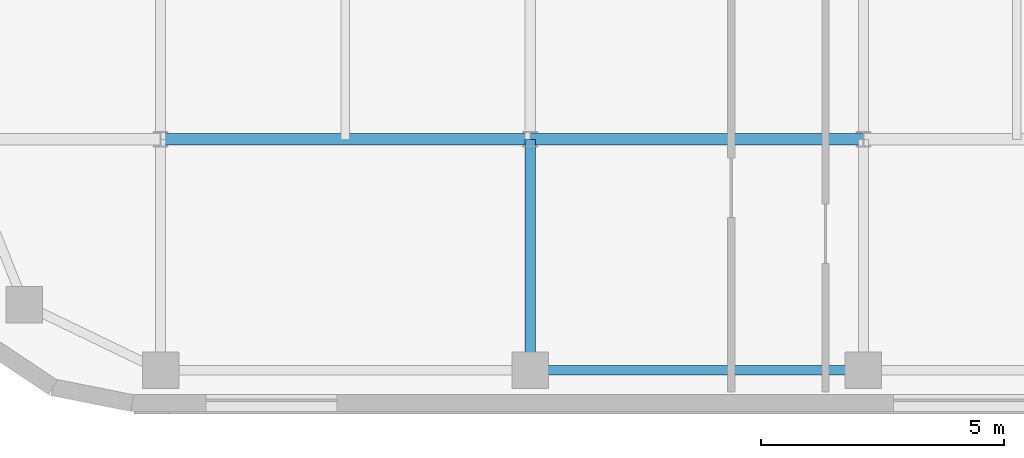
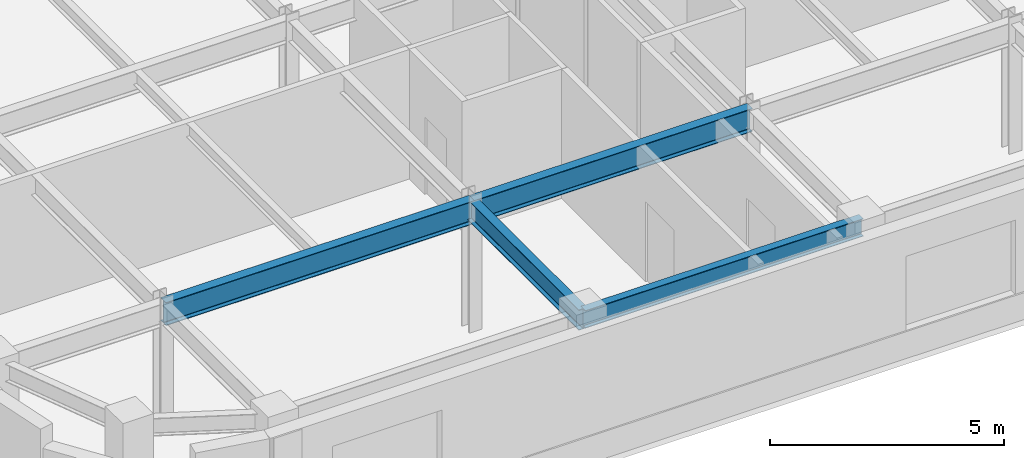
# One storey, part 4 of 21: 4 beams.
"""IFC4 building model written with IfcOpenShell, lengths in metres."""

from ifc_helpers import new_model, si_unit, direction, frame, origin, origin_2d, place, context, subcontext, project, spatial, i_section, extrude, source, transform, mapped, material, material_profile, profile_set, type_object, type_shapes, element, save


model = new_model("IFC4")

# Units and contexts
model_context = context("Model", 3, precision=1e-05, world=origin(), true_north=direction((0.0, 1.0)))
body_context = subcontext(model_context, "Body", "Model", "MODEL_VIEW")
ifc_project = project(units=[si_unit("LENGTHUNIT", "METRE"), si_unit("AREAUNIT", "SQUARE_METRE"), si_unit("VOLUMEUNIT", "CUBIC_METRE"), si_unit("PLANEANGLEUNIT", "RADIAN"), si_unit("MASSUNIT", "GRAM", prefix="KILO")], contexts=[model_context])

# Site, building, storey
site_placement = place(None, origin())
site = spatial("IfcSite", under=ifc_project, at=site_placement, CompositionType="ELEMENT")
building_placement = place(site_placement, origin())
building = spatial("IfcBuilding", under=site, at=building_placement, Name="Tolvann Quenvar Hotel", CompositionType="ELEMENT")
storey_placement = place(building_placement, frame((0.0, 0.0, 227.449951171875)))
storey = spatial("IfcBuildingStorey", under=building, at=storey_placement, Name="L60", CompositionType="ELEMENT", Elevation=227.449951171875)

# Beams
ifc_material = material(Name="Steel Grade 350", Category="steel")
ifc_material_profile_1 = material_profile(ifc_material, i_section(OverallWidth=0.22802734375, OverallDepth=0.60205078125, WebThickness=0.010498046875, FlangeThickness=0.014892578125, FilletRadius=0.013916015625, at=origin_2d()), Name="610UB101")
ifc_profile_set_1 = profile_set([ifc_material_profile_1], Name="Steel Grade 350")
beam_type_1 = type_object("IfcBeamType", Name="BM_GIRD_610UB101", PredefinedType="BEAM", material=ifc_profile_set_1)
shared_shape_1 = source(origin(), body_context, "Body", "SweptSolid", [
    extrude(i_section(OverallWidth=0.22802734375, OverallDepth=0.60205078125, WebThickness=0.010498046875, FlangeThickness=0.014892578125, FilletRadius=0.013916015625, at=origin_2d()), origin(), (0.0, 0.0, 1.0), 7.599853515625),
])
beam_1_placement = place(storey_placement, frame((7.60009765625, 8.199951171875, 3.069091796875), z_axis=(1.0, 0.0, 0.0), x_axis=(0.0, 1.0, 0.0)))
element("IfcBeam", 1, at=beam_1_placement, inside=storey, type_object=beam_type_1, Name="BM-L60-EW-3-C3-D3", PredefinedType="BEAM", context=body_context, shape_type="MappedRepresentation", body=[
    mapped(shared_shape_1, transform((0.0, 0.0, 0.0), x_axis=(1.0, 0.0, 0.0), y_axis=(0.0, 1.0, 0.0), z_axis=(0.0, 0.0, 1.0), scale=1.0)),
])
shared_shape_2 = source(origin(), body_context, "Body", "SweptSolid", [
    extrude(i_section(OverallWidth=0.22802734375, OverallDepth=0.60205078125, WebThickness=0.010498046875, FlangeThickness=0.014892578125, FilletRadius=0.013916015625, at=origin_2d()), origin(), (0.0, 0.0, 1.0), 6.85009765625),
])
type_shapes(beam_type_1, [shared_shape_1, shared_shape_2])
beam_2_placement = place(storey_placement, frame((15.199951171875, 8.199951171875, 3.069091796875), z_axis=(1.0, 0.0, 0.0), x_axis=(0.0, 1.0, 0.0)))
element("IfcBeam", 2, at=beam_2_placement, inside=storey, type_object=beam_type_1, Name="BM-L60-EW-3-D3-E3", PredefinedType="BEAM", context=body_context, shape_type="MappedRepresentation", body=[
    mapped(shared_shape_2, transform((0.0, 0.0, 0.0), x_axis=(1.0, 0.0, 0.0), y_axis=(0.0, 1.0, 0.0), z_axis=(0.0, 0.0, 1.0), scale=1.0)),
])
ifc_material_profile_2 = material_profile(ifc_material, i_section(OverallWidth=0.208984375, OverallDepth=0.532958984375, WebThickness=0.01025390625, FlangeThickness=0.015625, FilletRadius=0.013916015625, at=origin_2d()), Name="530UB92")
ifc_profile_set_2 = profile_set([ifc_material_profile_2], Name="Steel Grade 350")
beam_type_2 = type_object("IfcBeamType", Name="BM_GIRD_530UB92", PredefinedType="BEAM", material=ifc_profile_set_2)
shared_shape_3 = source(origin(), body_context, "Body", "SweptSolid", [
    extrude(i_section(OverallWidth=0.208984375, OverallDepth=0.532958984375, WebThickness=0.01025390625, FlangeThickness=0.015625, FilletRadius=0.013916015625, at=origin_2d()), origin(), (0.0, 0.0, 1.0), 4.75),
])
type_shapes(beam_type_2, [shared_shape_3])
beam_3_placement = place(storey_placement, frame((15.199951171875, 3.449951171875, 3.103515625), z_axis=(0.0, 1.0, 0.0), x_axis=(-1.0, 0.0, 0.0)))
element("IfcBeam", 3, at=beam_3_placement, inside=storey, type_object=beam_type_2, Name="BM-L60-NS-D2-D3", PredefinedType="BEAM", context=body_context, shape_type="MappedRepresentation", body=[
    mapped(shared_shape_3, transform((0.0, 0.0, 0.0), x_axis=(1.0, 0.0, 0.0), y_axis=(0.0, 1.0, 0.0), z_axis=(0.0, 0.0, 1.0), scale=1.0)),
])
ifc_material_profile_3 = material_profile(ifc_material, i_section(OverallWidth=0.19091796875, OverallDepth=0.4599609375, WebThickness=0.010009765625, FlangeThickness=0.01611328125, FilletRadius=0.011474609375, at=origin_2d()), Name="460UB82")
ifc_profile_set_3 = profile_set([ifc_material_profile_3], Name="Steel Grade 350")
beam_type_3 = type_object("IfcBeamType", Name="BM_SPAND_460UB82", PredefinedType="SPANDREL", material=ifc_profile_set_3)
shared_shape_4 = source(origin(), body_context, "Body", "SweptSolid", [
    extrude(i_section(OverallWidth=0.19091796875, OverallDepth=0.4599609375, WebThickness=0.010009765625, FlangeThickness=0.01611328125, FilletRadius=0.011474609375, at=origin_2d()), origin(), (0.0, 0.0, 1.0), 6.85009765625),
])
type_shapes(beam_type_3, [shared_shape_4])
beam_4_placement = place(storey_placement, frame((15.199951171875, 3.449951171875, 3.14013671875), z_axis=(1.0, 0.0, 0.0), x_axis=(0.0, 1.0, 0.0)))
element("IfcBeam", 4, at=beam_4_placement, inside=storey, type_object=beam_type_3, Name="BM-L60-EW-2-D2-E2", PredefinedType="SPANDREL", context=body_context, shape_type="MappedRepresentation", body=[
    mapped(shared_shape_4, transform((0.0, 0.0, 0.0), x_axis=(1.0, 0.0, 0.0), y_axis=(0.0, 1.0, 0.0), z_axis=(0.0, 0.0, 1.0), scale=1.0)),
])

save(model, "model.ifc")
